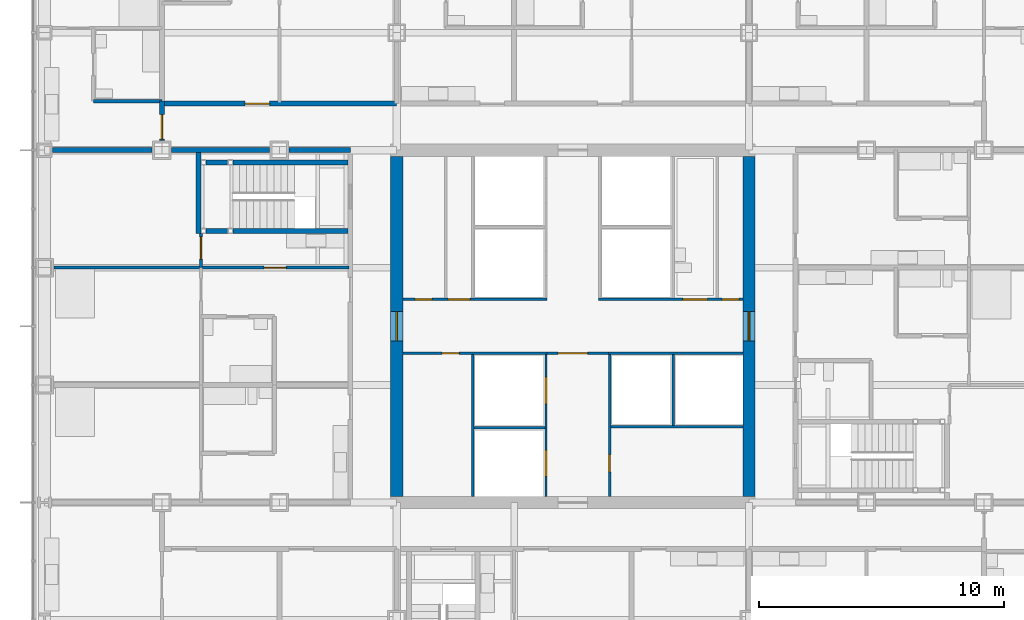
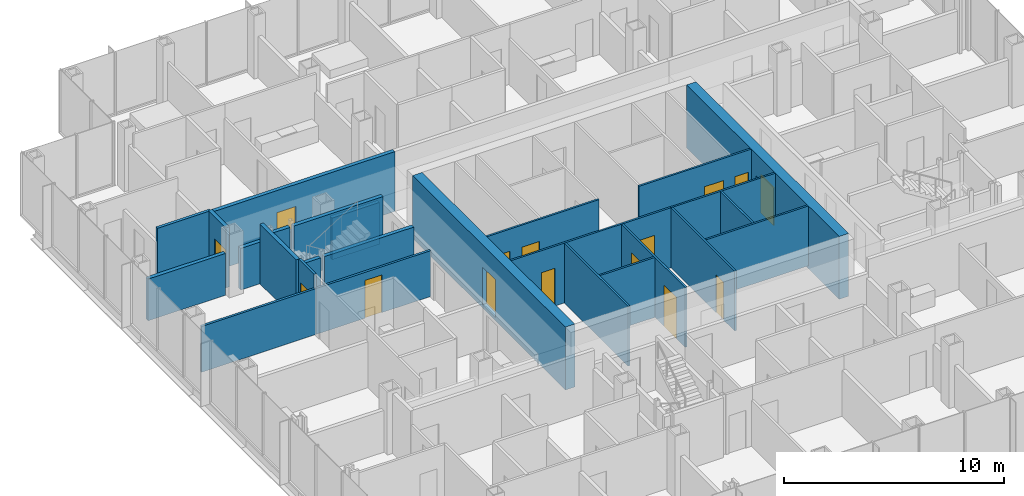
# One storey, part 15 of 21: 27 walls, 15 doors, 15 openings.
"""IFC4 building model written with IfcOpenShell, lengths in metres."""

from ifc_helpers import new_model, si_unit, direction, frame, frame_2d, origin, place, context, subcontext, project, spatial, rectangle, extrude, material, layer, layer_set, type_object, element, fill, save


model = new_model("IFC4")

# Units and contexts
model_context = context("Model", 3, precision=1e-05, world=origin(), true_north=direction((0.0, 1.0)))
body_context = subcontext(model_context, "Body", "Model", "MODEL_VIEW")
ifc_project = project(units=[si_unit("LENGTHUNIT", "METRE"), si_unit("AREAUNIT", "SQUARE_METRE"), si_unit("VOLUMEUNIT", "CUBIC_METRE"), si_unit("PLANEANGLEUNIT", "RADIAN"), si_unit("MASSUNIT", "GRAM", prefix="KILO")], contexts=[model_context])

# Site, building, storey
site_placement = place(None, origin())
site = spatial("IfcSite", under=ifc_project, at=site_placement, CompositionType="ELEMENT")
building_placement = place(site_placement, origin())
building = spatial("IfcBuilding", under=site, at=building_placement, Name="Kvirike Care Tower", CompositionType="ELEMENT")
storey_placement = place(building_placement, frame((0.0, 0.0, 27.0)))
storey = spatial("IfcBuildingStorey", under=building, at=storey_placement, Name="L06", CompositionType="ELEMENT", Elevation=27.0)

# Wall
ifc_material_1 = material(Name="Moisture-resistant board partition", Category="gypsum")
ifc_layer_1 = layer(ifc_material_1, 0.14990234375)
ifc_layer_set_1 = layer_set([ifc_layer_1], Name="BATHROOM WALL 150")
wall_type_1 = type_object("IfcWallType", Name="BATHROOM WALL 150", PredefinedType="PARTITIONING", material=ifc_layer_set_1)
wall_1_placement = place(storey_placement, frame((4.800048828125, 45.199951171875, 0.0), z_axis=(0.0, 0.0, 1.0), x_axis=(-1.0, 0.0, 0.0)))
element("IfcWall", 1, at=wall_1_placement, inside=storey, type_object=wall_type_1, Name="Bathroom Wall 150 L06", PredefinedType="PARTITIONING", context=body_context, shape_type="SweptSolid", body=[
    extrude(rectangle(XDim=2.800048828125, YDim=0.14990234375, at=frame_2d((1.39990234375, 0.0))), origin(), (0.0, 0.0, 1.0), 3.330078125),
])

# Wall, opening, door
ifc_material_2 = material(Name="Concrete C60/75", Category="concrete")
ifc_layer_2 = layer(ifc_material_2, 0.5)
ifc_layer_set_2 = layer_set([ifc_layer_2], Name="CORE WALL 500 C60-75")
wall_type_2 = type_object("IfcWallType", Name="CORE WALL 500 C60-75", PredefinedType="SHEAR", material=ifc_layer_set_2)
wall_2_placement = place(storey_placement, frame((14.39990234375, 42.949951171875, -0.169921875), z_axis=(0.0, 0.0, 1.0), x_axis=(0.0, -1.0, 0.0)))
wall_2 = element("IfcWall", 2, at=wall_2_placement, inside=storey, type_object=wall_type_2, Name="Core wall W L06", PredefinedType="SHEAR", context=body_context, shape_type="SweptSolid", body=[
    extrude(rectangle(XDim=13.89990234375, YDim=0.5, at=frame_2d((6.949951171875, 0.0))), origin(), (0.0, 0.0, 1.0), 3.5),
])
opening_1_placement = place(wall_2_placement, frame((6.35009765625, 0.0, 0.169921875)))
opening_1 = element("IfcOpeningElement", 3, at=opening_1_placement, cuts=wall_2, Name="Opening 06-080", PredefinedType="OPENING", context=body_context, shape_type="SweptSolid", body=[
    extrude(rectangle(XDim=1.199951171875, YDim=2.10009765625, at=frame_2d((0.60009765625, 1.050048828125))), frame((0.0, 0.260498046875, 0.0), z_axis=(0.0, -1.0, 0.0), x_axis=(1.0, 0.0, 0.0)), (0.0, 0.0, 1.0), 0.52099609375),
])
ifc_material_3 = material(Name="Timber door set", Category="wood")
door_type_1 = type_object("IfcDoorType", Name="CORE DOOR 1200", OperationType="SINGLE_SWING_LEFT", PredefinedType="DOOR", material=ifc_material_3)
door_1_placement = place(opening_1_placement, origin())
door_1 = element("IfcDoor", 4, at=door_1_placement, inside=storey, type_object=door_type_1, Name="Core door W L06", OperationType="SINGLE_SWING_LEFT", OverallHeight=2.10009765625, OverallWidth=1.199951171875, PredefinedType="DOOR", context=body_context, shape_type="SweptSolid", body=[
    extrude(rectangle(XDim=1.199951171875, YDim=2.10009765625, at=frame_2d((0.60009765625, 1.050048828125))), frame((0.0, 0.02685546875, 0.0), z_axis=(0.0, -1.0, 0.0), x_axis=(1.0, 0.0, 0.0)), (0.0, 0.0, 1.0), 0.053955078125),
])
fill(opening_1, door_1)

wall_3_placement = place(storey_placement, frame((28.800048828125, 29.050048828125, -0.169921875), z_axis=(0.0, 0.0, 1.0), x_axis=(0.0, 1.0, 0.0)))
wall_3 = element("IfcWall", 5, at=wall_3_placement, inside=storey, type_object=wall_type_2, Name="Core wall E L06", PredefinedType="SHEAR", context=body_context, shape_type="SweptSolid", body=[
    extrude(rectangle(XDim=13.89990234375, YDim=0.5, at=frame_2d((6.949951171875, 0.0))), origin(), (0.0, 0.0, 1.0), 3.5),
])
opening_2_placement = place(wall_3_placement, frame((6.35009765625, 0.0, 0.169921875)))
opening_2 = element("IfcOpeningElement", 6, at=opening_2_placement, cuts=wall_3, Name="Opening 06-081", PredefinedType="OPENING", context=body_context, shape_type="SweptSolid", body=[
    extrude(rectangle(XDim=1.199951171875, YDim=2.10009765625, at=frame_2d((0.60009765625, 1.050048828125))), frame((0.0, 0.260498046875, 0.0), z_axis=(0.0, -1.0, 0.0), x_axis=(1.0, 0.0, 0.0)), (0.0, 0.0, 1.0), 0.52099609375),
])
door_2_placement = place(opening_2_placement, origin())
door_2 = element("IfcDoor", 7, at=door_2_placement, inside=storey, type_object=door_type_1, Name="Core door E L06", OperationType="SINGLE_SWING_LEFT", OverallHeight=2.10009765625, OverallWidth=1.199951171875, PredefinedType="DOOR", context=body_context, shape_type="SweptSolid", body=[
    extrude(rectangle(XDim=1.199951171875, YDim=2.10009765625, at=frame_2d((0.60009765625, 1.050048828125))), frame((0.0, 0.02685546875, 0.0), z_axis=(0.0, -1.0, 0.0), x_axis=(1.0, 0.0, 0.0)), (0.0, 0.0, 1.0), 0.053955078125),
])
fill(opening_2, door_2)

ifc_material_4 = material(Name="Plasterboard corridor wall", Category="gypsum")
ifc_layer_3 = layer(ifc_material_4, 0.199951171875)
ifc_layer_set_3 = layer_set([ifc_layer_3], Name="CORRIDOR WALL 200")
wall_type_3 = type_object("IfcWallType", Name="CORRIDOR WALL 200", PredefinedType="PARTITIONING", material=ifc_layer_set_3)
wall_4_placement = place(storey_placement, frame((14.39990234375, 45.10009765625, 0.0), z_axis=(0.0, 0.0, 1.0), x_axis=(-1.0, 0.0, 0.0)))
wall_4 = element("IfcWall", 8, at=wall_4_placement, inside=storey, type_object=wall_type_3, Name="Corridor Wall 200 L06", PredefinedType="PARTITIONING", context=body_context, shape_type="SweptSolid", body=[
    extrude(rectangle(XDim=9.599853515625, YDim=0.199951171875, at=frame_2d((4.7998046875, 0.0))), origin(), (0.0, 0.0, 1.0), 3.330078125),
])
opening_3_placement = place(wall_4_placement, frame((5.199951171875, 0.0, 0.0)))
opening_3 = element("IfcOpeningElement", 9, at=opening_3_placement, cuts=wall_4, Name="Opening 06-024", PredefinedType="OPENING", context=body_context, shape_type="SweptSolid", body=[
    extrude(rectangle(XDim=1.0, YDim=2.10009765625, at=frame_2d((0.5, 1.050048828125))), frame((0.0, 0.110595703125, 0.0), z_axis=(0.0, -1.0, 0.0), x_axis=(1.0, 0.0, 0.0)), (0.0, 0.0, 1.0), 0.220947265625),
])
ifc_material_5 = material(Name="Timber door set", Category="wood")
door_type_2 = type_object("IfcDoorType", Name="FLAT ENTRANCE DOOR 1000", OperationType="SINGLE_SWING_LEFT", PredefinedType="DOOR", material=ifc_material_5)
door_3_placement = place(opening_3_placement, frame((1.0, 0.0, 0.0), z_axis=(0.0, 0.0, 1.0), x_axis=(-1.0, 0.0, 0.0)))
door_3 = element("IfcDoor", 10, at=door_3_placement, inside=storey, type_object=door_type_2, Name="One-bedroom apartment entrance", OperationType="SINGLE_SWING_LEFT", OverallHeight=2.10009765625, OverallWidth=1.0, PredefinedType="DOOR", context=body_context, shape_type="SweptSolid", body=[
    extrude(rectangle(XDim=1.0, YDim=2.10009765625, at=frame_2d((0.5, 1.050048828125))), frame((0.0, 0.02685546875, 0.0), z_axis=(0.0, -1.0, 0.0), x_axis=(1.0, 0.0, 0.0)), (0.0, 0.0, 1.0), 0.053955078125),
])
fill(opening_3, door_3)

wall_5_placement = place(storey_placement, frame((4.800048828125, 45.199951171875, 0.0), z_axis=(0.0, 0.0, 1.0), x_axis=(0.0, -1.0, 0.0)))
wall_5 = element("IfcWall", 11, at=wall_5_placement, inside=storey, type_object=wall_type_3, Name="Corridor Wall 200 L06", PredefinedType="PARTITIONING", context=body_context, shape_type="SweptSolid", body=[
    extrude(rectangle(XDim=1.60498046875, YDim=0.199951171875, at=frame_2d((0.802490234375, 0.0))), origin(), (0.0, 0.0, 1.0), 3.330078125),
])
opening_4_placement = place(wall_5_placement, frame((0.550048828125, 0.0, 0.0)))
opening_4 = element("IfcOpeningElement", 12, at=opening_4_placement, cuts=wall_5, Name="Opening 06-025", PredefinedType="OPENING", context=body_context, shape_type="SweptSolid", body=[
    extrude(rectangle(XDim=1.0, YDim=2.10009765625, at=frame_2d((0.5, 1.050048828125))), frame((0.0, 0.110595703125, 0.0), z_axis=(0.0, -1.0, 0.0), x_axis=(1.0, 0.0, 0.0)), (0.0, 0.0, 1.0), 0.220947265625),
])
door_4_placement = place(opening_4_placement, frame((1.0, 0.0, 0.0), z_axis=(0.0, 0.0, 1.0), x_axis=(-1.0, 0.0, 0.0)))
door_4 = element("IfcDoor", 13, at=door_4_placement, inside=storey, type_object=door_type_2, Name="Studio apartment entrance", OperationType="SINGLE_SWING_RIGHT", OverallHeight=2.10009765625, OverallWidth=1.0, PredefinedType="DOOR", context=body_context, shape_type="SweptSolid", body=[
    extrude(rectangle(XDim=1.0, YDim=2.10009765625, at=frame_2d((0.5, 1.050048828125))), frame((0.0, 0.02685546875, 0.0), z_axis=(0.0, -1.0, 0.0), x_axis=(1.0, 0.0, 0.0)), (0.0, 0.0, 1.0), 0.053955078125),
])
fill(opening_4, door_4)

ifc_material_6 = material(Name="Plasterboard partition", Category="gypsum")
ifc_layer_4 = layer(ifc_material_6, 0.1201171875)
ifc_layer_set_4 = layer_set([ifc_layer_4], Name="PARTITION 120")
wall_type_4 = type_object("IfcWallType", Name="PARTITION 120", PredefinedType="PARTITIONING", material=ifc_layer_set_4)
wall_6_placement = place(storey_placement, frame((6.39990234375, 38.39990234375, 0.0), z_axis=(0.0, 0.0, 1.0), x_axis=(1.0, 0.0, 0.0)))
wall_6 = element("IfcWall", 14, at=wall_6_placement, inside=storey, type_object=wall_type_4, Name="Partition 120 L06", PredefinedType="PARTITIONING", context=body_context, shape_type="SweptSolid", body=[
    extrude(rectangle(XDim=6.050048828125, YDim=0.1201171875, at=frame_2d((3.02490234375, 0.0))), origin(), (0.0, 0.0, 1.0), 2.550048828125),
])
opening_5_placement = place(wall_6_placement, frame((2.574951171875, 0.0, 0.0)))
opening_5 = element("IfcOpeningElement", 15, at=opening_5_placement, cuts=wall_6, Name="Opening 06-010", PredefinedType="OPENING", context=body_context, shape_type="SweptSolid", body=[
    extrude(rectangle(XDim=0.89990234375, YDim=2.10009765625, at=frame_2d((0.449951171875, 1.050048828125))), frame((0.0, 0.070556640625, 0.0), z_axis=(0.0, -1.0, 0.0), x_axis=(1.0, 0.0, 0.0)), (0.0, 0.0, 1.0), 0.14111328125),
])
ifc_material_7 = material(Name="Timber door set", Category="wood")
door_type_3 = type_object("IfcDoorType", Name="INTERNAL DOOR 900", OperationType="SINGLE_SWING_LEFT", PredefinedType="DOOR", material=ifc_material_7)
door_5_placement = place(opening_5_placement, origin())
door_5 = element("IfcDoor", 16, at=door_5_placement, inside=storey, type_object=door_type_3, Name="Hall door", OperationType="SINGLE_SWING_LEFT", OverallHeight=2.10009765625, OverallWidth=0.89990234375, PredefinedType="DOOR", context=body_context, shape_type="SweptSolid", body=[
    extrude(rectangle(XDim=0.89990234375, YDim=2.10009765625, at=frame_2d((0.449951171875, 1.050048828125))), frame((0.0, 0.02197265625, 0.0), z_axis=(0.0, -1.0, 0.0), x_axis=(1.0, 0.0, 0.0)), (0.0, 0.0, 1.0), 0.0439453125),
])
fill(opening_5, door_5)

wall_7_placement = place(storey_placement, frame((6.39990234375, 39.800048828125, 0.0), z_axis=(0.0, 0.0, 1.0), x_axis=(0.0, -1.0, 0.0)))
wall_7 = element("IfcWall", 17, at=wall_7_placement, inside=storey, type_object=wall_type_4, Name="Partition 120 L06", PredefinedType="PARTITIONING", context=body_context, shape_type="SweptSolid", body=[
    extrude(rectangle(XDim=1.400146484375, YDim=0.1201171875, at=frame_2d((0.7001953125, 0.0))), origin(), (0.0, 0.0, 1.0), 3.330078125),
])
opening_6_placement = place(wall_7_placement, frame((0.14990234375, 0.0, 0.0)))
opening_6 = element("IfcOpeningElement", 18, at=opening_6_placement, cuts=wall_7, Name="Opening 06-011", PredefinedType="OPENING", context=body_context, shape_type="SweptSolid", body=[
    extrude(rectangle(XDim=0.89990234375, YDim=2.10009765625, at=frame_2d((0.449951171875, 1.050048828125))), frame((0.0, 0.070556640625, 0.0), z_axis=(0.0, -1.0, 0.0), x_axis=(1.0, 0.0, 0.0)), (0.0, 0.0, 1.0), 0.14111328125),
])
door_6_placement = place(opening_6_placement, origin())
door_6 = element("IfcDoor", 19, at=door_6_placement, inside=storey, type_object=door_type_3, Name="Apartment living room door", OperationType="SINGLE_SWING_RIGHT", OverallHeight=2.10009765625, OverallWidth=0.89990234375, PredefinedType="DOOR", context=body_context, shape_type="SweptSolid", body=[
    extrude(rectangle(XDim=0.89990234375, YDim=2.10009765625, at=frame_2d((0.449951171875, 1.050048828125))), frame((0.0, 0.02197265625, 0.0), z_axis=(0.0, -1.0, 0.0), x_axis=(1.0, 0.0, 0.0)), (0.0, 0.0, 1.0), 0.0439453125),
])
fill(opening_6, door_6)

# Walls
wall_8_placement = place(storey_placement, frame((0.39501953125, 38.39990234375, 0.0), z_axis=(0.0, 0.0, 1.0), x_axis=(1.0, 0.0, 0.0)))
element("IfcWall", 20, at=wall_8_placement, inside=storey, type_object=wall_type_4, Name="Partition 120 L06", PredefinedType="PARTITIONING", context=body_context, shape_type="SweptSolid", body=[
    extrude(rectangle(XDim=6.0048828125, YDim=0.1201171875, at=frame_2d((3.00244140625, 0.0))), origin(), (0.0, 0.0, 1.0), 2.550048828125),
])
ifc_material_8 = material(Name="Plasterboard party wall", Category="gypsum")
ifc_layer_5 = layer(ifc_material_8, 0.199951171875)
ifc_layer_set_5 = layer_set([ifc_layer_5], Name="PARTY WALL 200")
wall_type_5 = type_object("IfcWallType", Name="PARTY WALL 200", PredefinedType="PARTITIONING", material=ifc_layer_set_5)
wall_9_placement = place(storey_placement, frame((12.5, 43.199951171875, 0.0), z_axis=(0.0, 0.0, 1.0), x_axis=(-1.0, 0.0, 0.0)))
element("IfcWall", 21, at=wall_9_placement, inside=storey, type_object=wall_type_5, Name="Party Wall 200 L06", PredefinedType="PARTITIONING", context=body_context, shape_type="SweptSolid", body=[
    extrude(rectangle(XDim=2.5048828125, YDim=0.199951171875, at=frame_2d((1.25244140625, 0.0))), origin(), (0.0, 0.0, 1.0), 2.320068359375),
])
wall_10_placement = place(storey_placement, frame((9.205078125, 43.199951171875, 0.0), z_axis=(0.0, 0.0, 1.0), x_axis=(-1.0, 0.0, 0.0)))
element("IfcWall", 22, at=wall_10_placement, inside=storey, type_object=wall_type_5, Name="Party Wall 200 L06", PredefinedType="PARTITIONING", context=body_context, shape_type="SweptSolid", body=[
    extrude(rectangle(XDim=4.010009765625, YDim=0.199951171875, at=frame_2d((2.0048828125, 0.0))), origin(), (0.0, 0.0, 1.0), 2.320068359375),
])
wall_11_placement = place(storey_placement, frame((4.405029296875, 43.199951171875, 0.0), z_axis=(0.0, 0.0, 1.0), x_axis=(-1.0, 0.0, 0.0)))
element("IfcWall", 23, at=wall_11_placement, inside=storey, type_object=wall_type_5, Name="Party Wall 200 L06", PredefinedType="PARTITIONING", context=body_context, shape_type="SweptSolid", body=[
    extrude(rectangle(XDim=4.0849609375, YDim=0.199951171875, at=frame_2d((2.04248046875, 0.0))), origin(), (0.0, 0.0, 1.0), 2.320068359375),
])

# Wall, openings, doors
ifc_material_9 = material(Name="Gypsum shaft wall system", Category="gypsum")
ifc_layer_6 = layer(ifc_material_9, 0.10009765625)
ifc_layer_set_6 = layer_set([ifc_layer_6], Name="SHAFT WALL 100")
wall_type_6 = type_object("IfcWallType", Name="SHAFT WALL 100", PredefinedType="SOLIDWALL", material=ifc_layer_set_6)
wall_12_placement = place(storey_placement, frame((20.5, 29.050048828125, 0.0), z_axis=(0.0, 0.0, 1.0), x_axis=(0.0, 1.0, 0.0)))
wall_12 = element("IfcWall", 24, at=wall_12_placement, inside=storey, type_object=wall_type_6, Name="Shaft Wall 100 L06", PredefinedType="SOLIDWALL", context=body_context, shape_type="SweptSolid", body=[
    extrude(rectangle(XDim=5.800048828125, YDim=0.10009765625, at=frame_2d((2.89990234375, 0.0))), origin(), (0.0, 0.0, 1.0), 3.330078125),
])
opening_7_placement = place(wall_12_placement, frame((0.800048828125, 0.0, 0.0)))
opening_7 = element("IfcOpeningElement", 25, at=opening_7_placement, cuts=wall_12, Name="Opening 06-068", PredefinedType="OPENING", context=body_context, shape_type="SweptSolid", body=[
    extrude(rectangle(XDim=1.10009765625, YDim=2.300048828125, at=frame_2d((0.550048828125, 1.14990234375))), frame((0.0, 0.060546875, 0.0), z_axis=(0.0, -1.0, 0.0), x_axis=(1.0, 0.0, 0.0)), (0.0, 0.0, 1.0), 0.12109375),
])
opening_8_placement = place(wall_12_placement, frame((3.77490234375, 0.0, 0.0)))
opening_8 = element("IfcOpeningElement", 26, at=opening_8_placement, cuts=wall_12, Name="Opening 06-069", PredefinedType="OPENING", context=body_context, shape_type="SweptSolid", body=[
    extrude(rectangle(XDim=1.10009765625, YDim=2.300048828125, at=frame_2d((0.550048828125, 1.14990234375))), frame((0.0, 0.060546875, 0.0), z_axis=(0.0, -1.0, 0.0), x_axis=(1.0, 0.0, 0.0)), (0.0, 0.0, 1.0), 0.12109375),
])
ifc_material_10 = material(Name="Aluminium door frame", Category="aluminium")
door_type_4 = type_object("IfcDoorType", Name="FIRE-FIGHTING LIFT LANDING DOOR 1100", OperationType="SLIDING_TO_LEFT", PredefinedType="DOOR", material=ifc_material_10)
door_7_placement = place(opening_7_placement, origin())
door_7 = element("IfcDoor", 27, at=door_7_placement, inside=storey, type_object=door_type_4, Name="Lift FF1 landing door", OperationType="SLIDING_TO_LEFT", OverallHeight=2.300048828125, OverallWidth=1.10009765625, PredefinedType="DOOR", context=body_context, shape_type="SweptSolid", body=[
    extrude(rectangle(XDim=1.10009765625, YDim=2.300048828125, at=frame_2d((0.550048828125, 1.14990234375))), frame((0.0, 0.0498046875, 0.0), z_axis=(0.0, -1.0, 0.0), x_axis=(1.0, 0.0, 0.0)), (0.0, 0.0, 1.0), 0.099609375),
])
fill(opening_7, door_7)
door_8_placement = place(opening_8_placement, origin())
door_8 = element("IfcDoor", 28, at=door_8_placement, inside=storey, type_object=door_type_4, Name="Lift FF2 landing door", OperationType="SLIDING_TO_LEFT", OverallHeight=2.300048828125, OverallWidth=1.10009765625, PredefinedType="DOOR", context=body_context, shape_type="SweptSolid", body=[
    extrude(rectangle(XDim=1.10009765625, YDim=2.300048828125, at=frame_2d((0.550048828125, 1.14990234375))), frame((0.0, 0.0498046875, 0.0), z_axis=(0.0, -1.0, 0.0), x_axis=(1.0, 0.0, 0.0)), (0.0, 0.0, 1.0), 0.099609375),
])
fill(opening_8, door_8)

# Wall, opening, door
wall_13_placement = place(storey_placement, frame((23.10009765625, 29.050048828125, 0.0), z_axis=(0.0, 0.0, 1.0), x_axis=(0.0, 1.0, 0.0)))
wall_13 = element("IfcWall", 29, at=wall_13_placement, inside=storey, type_object=wall_type_6, Name="Shaft Wall 100 L06", PredefinedType="SOLIDWALL", context=body_context, shape_type="SweptSolid", body=[
    extrude(rectangle(XDim=5.800048828125, YDim=0.10009765625, at=frame_2d((2.89990234375, 0.0))), origin(), (0.0, 0.0, 1.0), 3.330078125),
])
opening_9_placement = place(wall_13_placement, frame((1.0, 0.0, 0.0)))
opening_9 = element("IfcOpeningElement", 30, at=opening_9_placement, cuts=wall_13, Name="Opening 06-072", PredefinedType="OPENING", context=body_context, shape_type="SweptSolid", body=[
    extrude(rectangle(XDim=0.699951171875, YDim=2.10009765625, at=frame_2d((0.35009765625, 1.050048828125))), frame((0.0, 0.060546875, 0.0), z_axis=(0.0, -1.0, 0.0), x_axis=(1.0, 0.0, 0.0)), (0.0, 0.0, 1.0), 0.12109375),
])
ifc_material_11 = material(Name="Timber door set", Category="wood")
door_type_5 = type_object("IfcDoorType", Name="RISER DOOR 700", OperationType="SINGLE_SWING_LEFT", PredefinedType="DOOR", material=ifc_material_11)
door_9_placement = place(opening_9_placement, origin())
door_9 = element("IfcDoor", 31, at=door_9_placement, inside=storey, type_object=door_type_5, Name="Riser door", OperationType="SINGLE_SWING_RIGHT", OverallHeight=2.10009765625, OverallWidth=0.699951171875, PredefinedType="DOOR", context=body_context, shape_type="SweptSolid", body=[
    extrude(rectangle(XDim=0.699951171875, YDim=2.10009765625, at=frame_2d((0.35009765625, 1.050048828125))), frame((0.0, 0.02685546875, 0.0), z_axis=(0.0, -1.0, 0.0), x_axis=(1.0, 0.0, 0.0)), (0.0, 0.0, 1.0), 0.053955078125),
])
fill(opening_9, door_9)

wall_14_placement = place(storey_placement, frame((14.64990234375, 34.89990234375, 0.0), z_axis=(0.0, 0.0, 1.0), x_axis=(1.0, 0.0, 0.0)))
wall_14 = element("IfcWall", 32, at=wall_14_placement, inside=storey, type_object=wall_type_6, Name="Shaft Wall 100 L06", PredefinedType="SOLIDWALL", context=body_context, shape_type="SweptSolid", body=[
    extrude(rectangle(XDim=5.900146484375, YDim=0.10009765625, at=frame_2d((2.9501953125, 0.0))), origin(), (0.0, 0.0, 1.0), 3.330078125),
])
opening_10_placement = place(wall_14_placement, frame((1.60009765625, 0.0, 0.0)))
opening_10 = element("IfcOpeningElement", 33, at=opening_10_placement, cuts=wall_14, Name="Opening 06-073", PredefinedType="OPENING", context=body_context, shape_type="SweptSolid", body=[
    extrude(rectangle(XDim=0.699951171875, YDim=2.10009765625, at=frame_2d((0.35009765625, 1.050048828125))), frame((0.0, 0.060546875, 0.0), z_axis=(0.0, -1.0, 0.0), x_axis=(1.0, 0.0, 0.0)), (0.0, 0.0, 1.0), 0.12109375),
])
door_10_placement = place(opening_10_placement, frame((0.699951171875, 0.0, 0.0), z_axis=(0.0, 0.0, 1.0), x_axis=(-1.0, 0.0, 0.0)))
door_10 = element("IfcDoor", 34, at=door_10_placement, inside=storey, type_object=door_type_5, Name="Riser door", OperationType="SINGLE_SWING_RIGHT", OverallHeight=2.10009765625, OverallWidth=0.699951171875, PredefinedType="DOOR", context=body_context, shape_type="SweptSolid", body=[
    extrude(rectangle(XDim=0.699951171875, YDim=2.10009765625, at=frame_2d((0.35009765625, 1.050048828125))), frame((0.0, 0.02685546875, 0.0), z_axis=(0.0, -1.0, 0.0), x_axis=(1.0, 0.0, 0.0)), (0.0, 0.0, 1.0), 0.053955078125),
])
fill(opening_10, door_10)

# Wall
wall_15_placement = place(storey_placement, frame((23.050048828125, 34.89990234375, 0.0), z_axis=(0.0, 0.0, 1.0), x_axis=(1.0, 0.0, 0.0)))
element("IfcWall", 35, at=wall_15_placement, inside=storey, type_object=wall_type_6, Name="Shaft Wall 100 L06", PredefinedType="SOLIDWALL", context=body_context, shape_type="SweptSolid", body=[
    extrude(rectangle(XDim=5.5, YDim=0.10009765625, at=frame_2d((2.75, 0.0))), origin(), (0.0, 0.0, 1.0), 3.330078125),
])

# Wall, openings, doors
wall_16_placement = place(storey_placement, frame((14.64990234375, 37.10009765625, 0.0), z_axis=(0.0, 0.0, 1.0), x_axis=(1.0, 0.0, 0.0)))
wall_16 = element("IfcWall", 36, at=wall_16_placement, inside=storey, type_object=wall_type_6, Name="Shaft Wall 100 L06", PredefinedType="SOLIDWALL", context=body_context, shape_type="SweptSolid", body=[
    extrude(rectangle(XDim=5.900146484375, YDim=0.10009765625, at=frame_2d((2.9501953125, 0.0))), origin(), (0.0, 0.0, 1.0), 3.330078125),
])
opening_11_placement = place(wall_16_placement, frame((0.5, 0.0, 0.0)))
opening_11 = element("IfcOpeningElement", 37, at=opening_11_placement, cuts=wall_16, Name="Opening 06-074", PredefinedType="OPENING", context=body_context, shape_type="SweptSolid", body=[
    extrude(rectangle(XDim=0.699951171875, YDim=2.10009765625, at=frame_2d((0.35009765625, 1.050048828125))), frame((0.0, 0.060546875, 0.0), z_axis=(0.0, -1.0, 0.0), x_axis=(1.0, 0.0, 0.0)), (0.0, 0.0, 1.0), 0.12109375),
])
opening_12_placement = place(wall_16_placement, frame((1.85009765625, 0.0, 0.0)))
opening_12 = element("IfcOpeningElement", 38, at=opening_12_placement, cuts=wall_16, Name="Opening 06-075", PredefinedType="OPENING", context=body_context, shape_type="SweptSolid", body=[
    extrude(rectangle(XDim=0.89990234375, YDim=2.10009765625, at=frame_2d((0.449951171875, 1.050048828125))), frame((0.0, 0.060546875, 0.0), z_axis=(0.0, -1.0, 0.0), x_axis=(1.0, 0.0, 0.0)), (0.0, 0.0, 1.0), 0.12109375),
])
door_11_placement = place(opening_11_placement, origin())
door_11 = element("IfcDoor", 39, at=door_11_placement, inside=storey, type_object=door_type_5, Name="Riser door", OperationType="SINGLE_SWING_RIGHT", OverallHeight=2.10009765625, OverallWidth=0.699951171875, PredefinedType="DOOR", context=body_context, shape_type="SweptSolid", body=[
    extrude(rectangle(XDim=0.699951171875, YDim=2.10009765625, at=frame_2d((0.35009765625, 1.050048828125))), frame((0.0, 0.02685546875, 0.0), z_axis=(0.0, -1.0, 0.0), x_axis=(1.0, 0.0, 0.0)), (0.0, 0.0, 1.0), 0.053955078125),
])
fill(opening_11, door_11)
ifc_material_12 = material(Name="Timber door set", Category="wood")
door_type_6 = type_object("IfcDoorType", Name="STORE DOOR 900", OperationType="SINGLE_SWING_LEFT", PredefinedType="DOOR", material=ifc_material_12)
door_12_placement = place(opening_12_placement, origin())
door_12 = element("IfcDoor", 40, at=door_12_placement, inside=storey, type_object=door_type_6, Name="Housekeeping store door", OperationType="SINGLE_SWING_LEFT", OverallHeight=2.10009765625, OverallWidth=0.89990234375, PredefinedType="DOOR", context=body_context, shape_type="SweptSolid", body=[
    extrude(rectangle(XDim=0.89990234375, YDim=2.10009765625, at=frame_2d((0.449951171875, 1.050048828125))), frame((0.0, 0.02685546875, 0.0), z_axis=(0.0, -1.0, 0.0), x_axis=(1.0, 0.0, 0.0)), (0.0, 0.0, 1.0), 0.053955078125),
])
fill(opening_12, door_12)

wall_17_placement = place(storey_placement, frame((22.64990234375, 37.10009765625, 0.0), z_axis=(0.0, 0.0, 1.0), x_axis=(1.0, 0.0, 0.0)))
wall_17 = element("IfcWall", 41, at=wall_17_placement, inside=storey, type_object=wall_type_6, Name="Shaft Wall 100 L06", PredefinedType="SOLIDWALL", context=body_context, shape_type="SweptSolid", body=[
    extrude(rectangle(XDim=5.900146484375, YDim=0.10009765625, at=frame_2d((2.9501953125, 0.0))), origin(), (0.0, 0.0, 1.0), 3.330078125),
])
opening_13_placement = place(wall_17_placement, frame((3.449951171875, 0.0, 0.0)))
opening_13 = element("IfcOpeningElement", 42, at=opening_13_placement, cuts=wall_17, Name="Opening 06-076", PredefinedType="OPENING", context=body_context, shape_type="SweptSolid", body=[
    extrude(rectangle(XDim=1.0, YDim=2.10009765625, at=frame_2d((0.5, 1.050048828125))), frame((0.0, 0.060546875, 0.0), z_axis=(0.0, -1.0, 0.0), x_axis=(1.0, 0.0, 0.0)), (0.0, 0.0, 1.0), 0.12109375),
])
opening_14_placement = place(wall_17_placement, frame((5.050048828125, 0.0, 0.0)))
opening_14 = element("IfcOpeningElement", 43, at=opening_14_placement, cuts=wall_17, Name="Opening 06-077", PredefinedType="OPENING", context=body_context, shape_type="SweptSolid", body=[
    extrude(rectangle(XDim=0.699951171875, YDim=2.10009765625, at=frame_2d((0.35009765625, 1.050048828125))), frame((0.0, 0.060546875, 0.0), z_axis=(0.0, -1.0, 0.0), x_axis=(1.0, 0.0, 0.0)), (0.0, 0.0, 1.0), 0.12109375),
])
door_13_placement = place(opening_14_placement, origin())
door_13 = element("IfcDoor", 44, at=door_13_placement, inside=storey, type_object=door_type_5, Name="Riser door", OperationType="SINGLE_SWING_RIGHT", OverallHeight=2.10009765625, OverallWidth=0.699951171875, PredefinedType="DOOR", context=body_context, shape_type="SweptSolid", body=[
    extrude(rectangle(XDim=0.699951171875, YDim=2.10009765625, at=frame_2d((0.35009765625, 1.050048828125))), frame((0.0, 0.02685546875, 0.0), z_axis=(0.0, -1.0, 0.0), x_axis=(1.0, 0.0, 0.0)), (0.0, 0.0, 1.0), 0.053955078125),
])
fill(opening_14, door_13)
ifc_material_13 = material(Name="Timber door set", Category="wood")
door_type_7 = type_object("IfcDoorType", Name="WC DOOR 1000", OperationType="SINGLE_SWING_LEFT", PredefinedType="DOOR", material=ifc_material_13)
door_14_placement = place(opening_13_placement, origin())
door_14 = element("IfcDoor", 45, at=door_14_placement, inside=storey, type_object=door_type_7, Name="Staff WC door", OperationType="SINGLE_SWING_RIGHT", OverallHeight=2.10009765625, OverallWidth=1.0, PredefinedType="DOOR", context=body_context, shape_type="SweptSolid", body=[
    extrude(rectangle(XDim=1.0, YDim=2.10009765625, at=frame_2d((0.5, 1.050048828125))), frame((0.0, 0.02685546875, 0.0), z_axis=(0.0, -1.0, 0.0), x_axis=(1.0, 0.0, 0.0)), (0.0, 0.0, 1.0), 0.053955078125),
])
fill(opening_13, door_14)

# Wall, opening, door
wall_18_placement = place(storey_placement, frame((20.550048828125, 34.89990234375, 0.0), z_axis=(0.0, 0.0, 1.0), x_axis=(1.0, 0.0, 0.0)))
wall_18 = element("IfcWall", 46, at=wall_18_placement, inside=storey, type_object=wall_type_6, Name="Shaft Wall 100 L06", PredefinedType="SOLIDWALL", context=body_context, shape_type="SweptSolid", body=[
    extrude(rectangle(XDim=2.5, YDim=0.10009765625, at=frame_2d((1.25, 0.0))), origin(), (0.0, 0.0, 1.0), 3.330078125),
])
opening_15_placement = place(wall_18_placement, frame((0.449951171875, 0.0, 0.0)))
opening_15 = element("IfcOpeningElement", 47, at=opening_15_placement, cuts=wall_18, Name="Opening 06-078", PredefinedType="OPENING", context=body_context, shape_type="SweptSolid", body=[
    extrude(rectangle(XDim=1.199951171875, YDim=2.10009765625, at=frame_2d((0.60009765625, 1.050048828125))), frame((0.0, 0.060546875, 0.0), z_axis=(0.0, -1.0, 0.0), x_axis=(1.0, 0.0, 0.0)), (0.0, 0.0, 1.0), 0.12109375),
])
door_15_placement = place(opening_15_placement, frame((1.199951171875, 0.0, 0.0), z_axis=(0.0, 0.0, 1.0), x_axis=(-1.0, 0.0, 0.0)))
door_15 = element("IfcDoor", 48, at=door_15_placement, inside=storey, type_object=door_type_1, Name="Fire-fighting lobby door", OperationType="SINGLE_SWING_LEFT", OverallHeight=2.10009765625, OverallWidth=1.199951171875, PredefinedType="DOOR", context=body_context, shape_type="SweptSolid", body=[
    extrude(rectangle(XDim=1.199951171875, YDim=2.10009765625, at=frame_2d((0.60009765625, 1.050048828125))), frame((0.0, 0.02685546875, 0.0), z_axis=(0.0, -1.0, 0.0), x_axis=(1.0, 0.0, 0.0)), (0.0, 0.0, 1.0), 0.053955078125),
])
fill(opening_15, door_15)

# Walls
wall_19_placement = place(storey_placement, frame((17.5, 29.050048828125, 0.0), z_axis=(0.0, 0.0, 1.0), x_axis=(0.0, 1.0, 0.0)))
element("IfcWall", 49, at=wall_19_placement, inside=storey, type_object=wall_type_6, Name="Shaft Wall 100 L06", PredefinedType="SOLIDWALL", context=body_context, shape_type="SweptSolid", body=[
    extrude(rectangle(XDim=5.800048828125, YDim=0.10009765625, at=frame_2d((2.89990234375, 0.0))), origin(), (0.0, 0.0, 1.0), 3.330078125),
])
wall_20_placement = place(storey_placement, frame((17.550048828125, 31.85009765625, 0.0), z_axis=(0.0, 0.0, 1.0), x_axis=(1.0, 0.0, 0.0)))
element("IfcWall", 50, at=wall_20_placement, inside=storey, type_object=wall_type_6, Name="Shaft Wall 100 L06", PredefinedType="SOLIDWALL", context=body_context, shape_type="SweptSolid", body=[
    extrude(rectangle(XDim=2.89990234375, YDim=0.10009765625, at=frame_2d((1.449951171875, 0.0))), origin(), (0.0, 0.0, 1.0), 3.330078125),
])
wall_21_placement = place(storey_placement, frame((25.699951171875, 31.949951171875, 0.0), z_axis=(0.0, 0.0, 1.0), x_axis=(0.0, 1.0, 0.0)))
element("IfcWall", 51, at=wall_21_placement, inside=storey, type_object=wall_type_6, Name="Shaft Wall 100 L06", PredefinedType="SOLIDWALL", context=body_context, shape_type="SweptSolid", body=[
    extrude(rectangle(XDim=2.900146484375, YDim=0.10009765625, at=frame_2d((1.4501953125, 0.0))), origin(), (0.0, 0.0, 1.0), 3.330078125),
])
wall_22_placement = place(storey_placement, frame((23.14990234375, 31.89990234375, 0.0), z_axis=(0.0, 0.0, 1.0), x_axis=(1.0, 0.0, 0.0)))
element("IfcWall", 52, at=wall_22_placement, inside=storey, type_object=wall_type_6, Name="Shaft Wall 100 L06", PredefinedType="SOLIDWALL", context=body_context, shape_type="SweptSolid", body=[
    extrude(rectangle(XDim=5.400146484375, YDim=0.10009765625, at=frame_2d((2.7001953125, 0.0))), origin(), (0.0, 0.0, 1.0), 3.330078125),
])
ifc_material_14 = material(Name="Concrete C40/50", Category="concrete")
ifc_layer_7 = layer(ifc_material_14, 0.199951171875)
ifc_layer_set_7 = layer_set([ifc_layer_7], Name="STAIR WALL 200")
wall_type_7 = type_object("IfcWallType", Name="STAIR WALL 200", PredefinedType="SOLIDWALL", material=ifc_layer_set_7)
wall_23_placement = place(storey_placement, frame((6.60009765625, 42.699951171875, 0.0), z_axis=(0.0, 0.0, 1.0), x_axis=(1.0, 0.0, 0.0)))
element("IfcWall", 53, at=wall_23_placement, inside=storey, type_object=wall_type_7, Name="Stair Wall 200 L06", PredefinedType="SOLIDWALL", context=body_context, shape_type="SweptSolid", body=[
    extrude(rectangle(XDim=0.89990234375, YDim=0.199951171875, at=frame_2d((0.449951171875, 0.0))), origin(), (0.0, 0.0, 1.0), 2.989990234375),
])
wall_24_placement = place(storey_placement, frame((7.699951171875, 42.699951171875, 0.0), z_axis=(0.0, 0.0, 1.0), x_axis=(1.0, 0.0, 0.0)))
element("IfcWall", 54, at=wall_24_placement, inside=storey, type_object=wall_type_7, Name="Stair Wall 200 L06", PredefinedType="SOLIDWALL", context=body_context, shape_type="SweptSolid", body=[
    extrude(rectangle(XDim=4.699951171875, YDim=0.199951171875, at=frame_2d((2.35009765625, 0.0))), origin(), (0.0, 0.0, 1.0), 2.989990234375),
])
wall_25_placement = place(storey_placement, frame((6.60009765625, 39.89990234375, 0.0), z_axis=(0.0, 0.0, 1.0), x_axis=(1.0, 0.0, 0.0)))
element("IfcWall", 55, at=wall_25_placement, inside=storey, type_object=wall_type_7, Name="Stair Wall 200 L06", PredefinedType="SOLIDWALL", context=body_context, shape_type="SweptSolid", body=[
    extrude(rectangle(XDim=0.89990234375, YDim=0.199951171875, at=frame_2d((0.449951171875, 0.0))), origin(), (0.0, 0.0, 1.0), 2.989990234375),
])
wall_26_placement = place(storey_placement, frame((7.699951171875, 39.89990234375, 0.0), z_axis=(0.0, 0.0, 1.0), x_axis=(1.0, 0.0, 0.0)))
element("IfcWall", 56, at=wall_26_placement, inside=storey, type_object=wall_type_7, Name="Stair Wall 200 L06", PredefinedType="SOLIDWALL", context=body_context, shape_type="SweptSolid", body=[
    extrude(rectangle(XDim=4.699951171875, YDim=0.199951171875, at=frame_2d((2.35009765625, 0.0))), origin(), (0.0, 0.0, 1.0), 2.989990234375),
])
wall_27_placement = place(storey_placement, frame((6.300048828125, 43.10009765625, 0.0), z_axis=(0.0, 0.0, 1.0), x_axis=(0.0, -1.0, 0.0)))
element("IfcWall", 57, at=wall_27_placement, inside=storey, type_object=wall_type_7, Name="Stair Wall 200 L06", PredefinedType="SOLIDWALL", context=body_context, shape_type="SweptSolid", body=[
    extrude(rectangle(XDim=3.300048828125, YDim=0.199951171875, at=frame_2d((1.64990234375, 0.0))), origin(), (0.0, 0.0, 1.0), 3.330078125),
])

save(model, "model.ifc")
